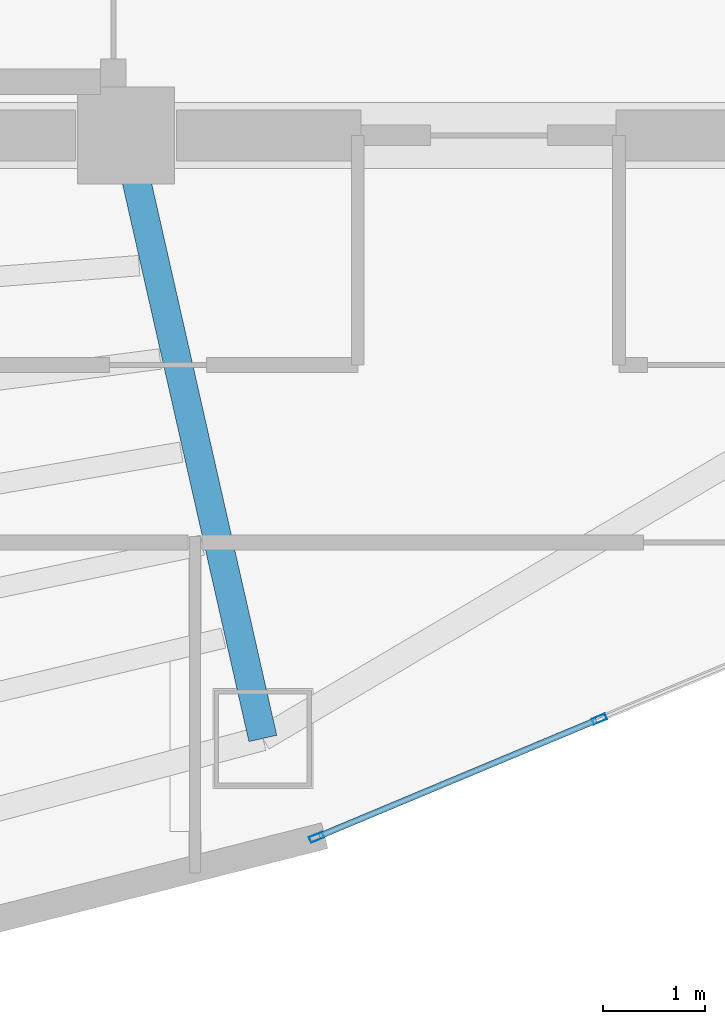
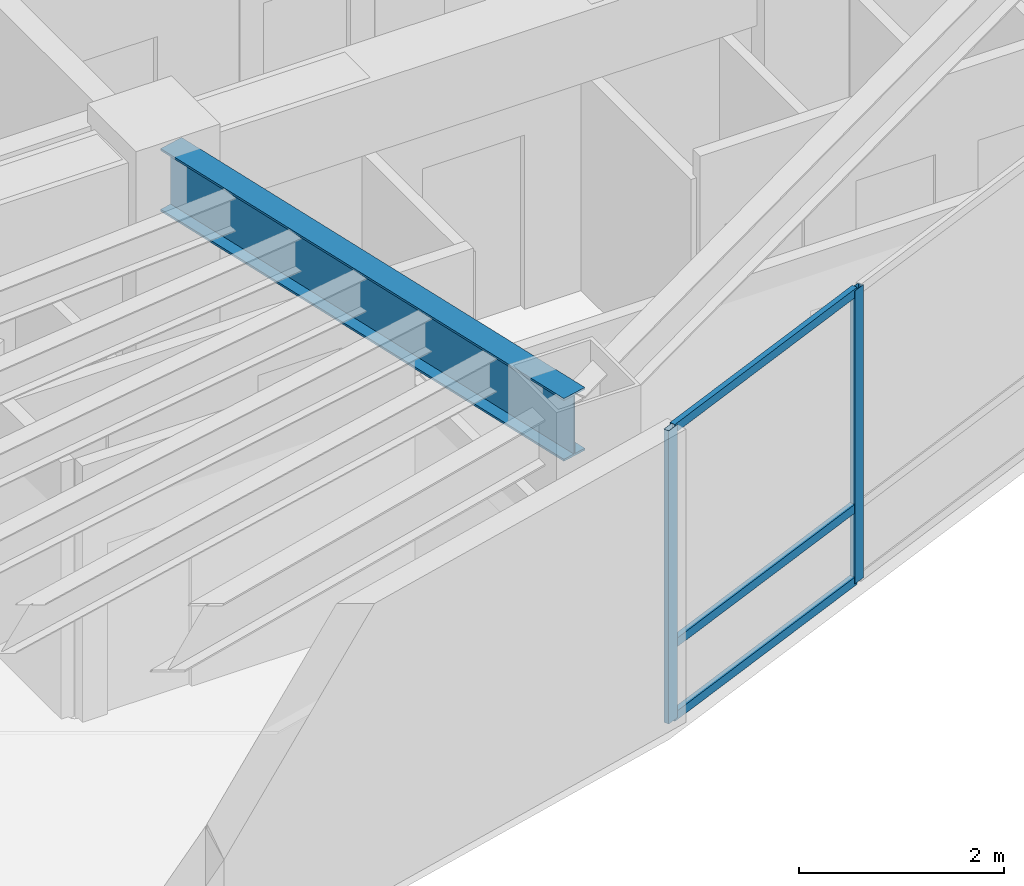
# One storey, part 2 of 15: 5 members, 1 beam, 1 element without a shape of its own.
"""IFC4 building model written with IfcOpenShell, lengths in metres."""

from ifc_helpers import new_model, si_unit, direction, frame, origin, origin_2d, place, context, subcontext, project, spatial, hollow_rectangle, i_section, extrude, material, layer, layer_set, material_profile, profile_set, type_object, element, aggregate, save


model = new_model("IFC4")

# Units and contexts
model_context = context("Model", 3, precision=1e-05, world=origin(), true_north=direction((0.0, 1.0)))
body_context = subcontext(model_context, "Body", "Model", "MODEL_VIEW")
ifc_project = project(units=[si_unit("LENGTHUNIT", "METRE"), si_unit("AREAUNIT", "SQUARE_METRE"), si_unit("VOLUMEUNIT", "CUBIC_METRE"), si_unit("PLANEANGLEUNIT", "RADIAN"), si_unit("MASSUNIT", "GRAM", prefix="KILO")], contexts=[model_context])

# Site, building, storey
site_placement = place(None, origin())
site = spatial("IfcSite", under=ifc_project, at=site_placement, CompositionType="ELEMENT")
building_placement = place(site_placement, origin())
building = spatial("IfcBuilding", under=site, at=building_placement, Name="Menara Vayukalpa", CompositionType="ELEMENT")
storey_placement = place(building_placement, frame((0.0, 0.0, 187.800048828125)))
storey = spatial("IfcBuildingStorey", under=building, at=storey_placement, Name="L47", CompositionType="ELEMENT", Elevation=187.800048828125)

# Beam
ifc_material_1 = material(Name="Steel S355", Category="steel")
ifc_material_profile_1 = material_profile(ifc_material_1, i_section(OverallWidth=0.280029296875, OverallDepth=0.75, WebThickness=0.013916015625, FlangeThickness=0.02490234375, at=origin_2d()), Name="WF 750x280x14x25")
ifc_profile_set_1 = profile_set([ifc_material_profile_1], Name="Steel S355")
beam_type = type_object("IfcBeamType", Name="BM-PG4", PredefinedType="BEAM", material=ifc_profile_set_1)
beam_placement = place(storey_placement, frame((22.105224609375, 16.956298828125, 3.125), z_axis=(0.221085149161, -0.975254508741, 0.0), x_axis=(0.975254508741, 0.221085149161, 0.0)))
element("IfcBeam", 1, at=beam_placement, inside=storey, type_object=beam_type, Name="L47 Primary Radial Girder RG08", PredefinedType="BEAM", context=body_context, shape_type="SweptSolid", body=[
    extrude(i_section(OverallWidth=0.280029296875, OverallDepth=0.75, WebThickness=0.013916015625, FlangeThickness=0.02490234375, at=origin_2d()), origin(), (0.0, 0.0, 1.0), 5.80859375),
])

# Curtain wall, members
ifc_material_2 = material(Name="Anodised Terracotta Aluminium Alloy 6063-T6", Category="masonry")
ifc_layer = layer(ifc_material_2, 0.139892578125)
ifc_layer_set = layer_set([ifc_layer], Name="Anodised Terracotta Aluminium Alloy 6063-T6")
curtain_wall_type = type_object("IfcCurtainWallType", Name="CW-CW5", PredefinedType="USERDEFINED", material=ifc_layer_set)
curtain_wall_placement = place(storey_placement, origin())
curtain_wall = element("IfcCurtainWall", 2, at=curtain_wall_placement, inside=storey, type_object=curtain_wall_type, Name="L47 High Rise Tapered Curtain Wall CW5 16", ObjectType="UNITISED", PredefinedType="USERDEFINED")
ifc_material_3 = material(Name="Anodised Terracotta Aluminium Alloy 6063-T6", Category="masonry")
ifc_material_profile_2 = material_profile(ifc_material_3, hollow_rectangle(XDim=0.06005859375, YDim=0.139892578125, WallThickness=0.00341796875, at=origin_2d()), Name="ALU 60x140x3.5")
ifc_profile_set_2 = profile_set([ifc_material_profile_2], Name="Anodised Terracotta Aluminium Alloy 6063-T6")
member_type_1 = type_object("IfcMemberType", Name="CWM-CW5", PredefinedType="MULLION", material=ifc_profile_set_2)
member_1_placement = place(storey_placement, frame((23.916259765625, 10.322998046875, 0.0), z_axis=(0.0, 0.0, 1.0), x_axis=(-0.385902834406, 0.922539431351, 0.0)))
member_1 = element("IfcMember", 3, at=member_1_placement, type_object=member_type_1, Name="CW5 mullion 1", PredefinedType="MULLION", context=body_context, shape_type="SweptSolid", body=[
    extrude(hollow_rectangle(XDim=0.06005859375, YDim=0.139892578125, WallThickness=0.00341796875, at=origin_2d()), origin(), (0.0, 0.0, 1.0), 3.5),
])
member_2_placement = place(storey_placement, frame((26.686279296875, 11.481689453125, 0.0), z_axis=(0.0, 0.0, 1.0), x_axis=(-0.385902834406, 0.922539431351, 0.0)))
member_2 = element("IfcMember", 4, at=member_2_placement, type_object=member_type_1, Name="CW5 mullion 2", PredefinedType="MULLION", context=body_context, shape_type="SweptSolid", body=[
    extrude(hollow_rectangle(XDim=0.06005859375, YDim=0.139892578125, WallThickness=0.00341796875, at=origin_2d()), origin(), (0.0, 0.0, 1.0), 3.5),
])
ifc_material_4 = material(Name="Anodised Terracotta Aluminium Alloy 6063-T6", Category="masonry")
ifc_material_profile_3 = material_profile(ifc_material_4, hollow_rectangle(XDim=0.06005859375, YDim=0.10498046875, WallThickness=0.0029296875, at=origin_2d()), Name="ALU 60x105x3")
ifc_profile_set_3 = profile_set([ifc_material_profile_3], Name="Anodised Terracotta Aluminium Alloy 6063-T6")
member_type_2 = type_object("IfcMemberType", Name="CWT-CW5", PredefinedType="USERDEFINED", material=ifc_profile_set_3)
member_3_placement = place(storey_placement, frame((23.94384765625, 10.33447265625, 0.030029296875), z_axis=(0.922543360613, 0.385893440976, 0.0), x_axis=(-0.385893440976, 0.922543360613, 0.0)))
member_3 = element("IfcMember", 5, at=member_3_placement, type_object=member_type_2, Name="CW5 transom 1.1", ObjectType="TRANSOM", PredefinedType="USERDEFINED", context=body_context, shape_type="SweptSolid", body=[
    extrude(hollow_rectangle(XDim=0.06005859375, YDim=0.10498046875, WallThickness=0.0029296875, at=origin_2d()), origin(), (0.0, 0.0, 1.0), 2.942626953125),
])
member_4_placement = place(storey_placement, frame((23.94384765625, 10.33447265625, 0.89990234375), z_axis=(0.922543360613, 0.385893440976, 0.0), x_axis=(-0.385893440976, 0.922543360613, 0.0)))
member_4 = element("IfcMember", 6, at=member_4_placement, type_object=member_type_2, Name="CW5 transom 1.2", ObjectType="TRANSOM", PredefinedType="USERDEFINED", context=body_context, shape_type="SweptSolid", body=[
    extrude(hollow_rectangle(XDim=0.06005859375, YDim=0.10498046875, WallThickness=0.0029296875, at=origin_2d()), origin(), (0.0, 0.0, 1.0), 2.942626953125),
])
member_5_placement = place(storey_placement, frame((23.94384765625, 10.33447265625, 3.469970703125), z_axis=(0.922543360613, 0.385893440976, 0.0), x_axis=(-0.385893440976, 0.922543360613, 0.0)))
member_5 = element("IfcMember", 7, at=member_5_placement, type_object=member_type_2, Name="CW5 transom 1.3", ObjectType="TRANSOM", PredefinedType="USERDEFINED", context=body_context, shape_type="SweptSolid", body=[
    extrude(hollow_rectangle(XDim=0.06005859375, YDim=0.10498046875, WallThickness=0.0029296875, at=origin_2d()), origin(), (0.0, 0.0, 1.0), 2.942626953125),
])
aggregate(curtain_wall, [member_1, member_2, member_3, member_4, member_5])

save(model, "model.ifc")
